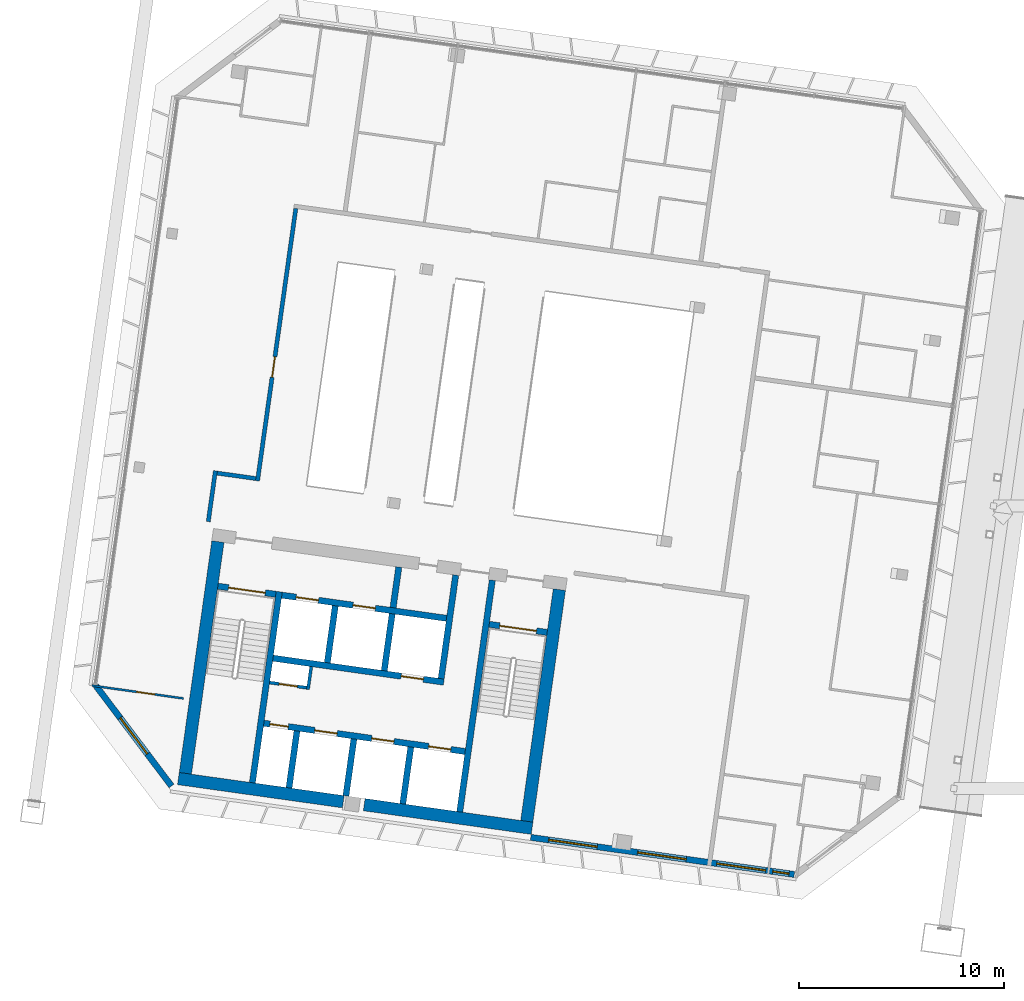
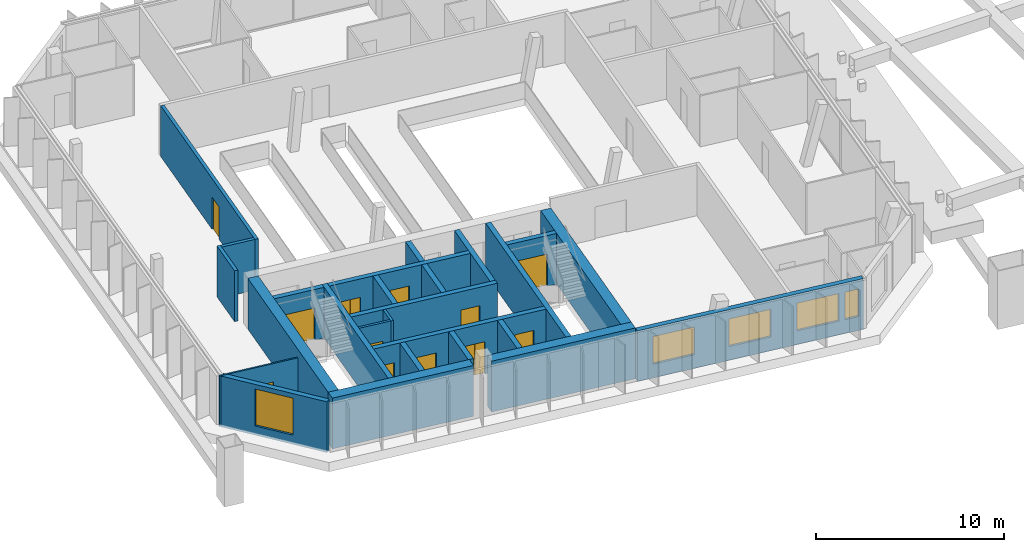
# One storey, part 21 of 36: 26 walls, 12 doors, 5 windows, 17 openings.
"""IFC4 building model written with IfcOpenShell, lengths in metres."""

from ifc_helpers import new_model, si_unit, direction, frame, frame_2d, origin, place, context, subcontext, project, spatial, rectangle, extrude, material, layer, layer_set, type_object, element, fill, save


model = new_model("IFC4")

# Units and contexts
model_context = context("Model", 3, precision=1e-05, world=origin(), true_north=direction((0.0, 1.0)))
body_context = subcontext(model_context, "Body", "Model", "MODEL_VIEW")
ifc_project = project(units=[si_unit("LENGTHUNIT", "METRE"), si_unit("AREAUNIT", "SQUARE_METRE"), si_unit("VOLUMEUNIT", "CUBIC_METRE"), si_unit("PLANEANGLEUNIT", "RADIAN"), si_unit("MASSUNIT", "GRAM", prefix="KILO")], contexts=[model_context])

# Site, building, storey
site_placement = place(None, origin())
site = spatial("IfcSite", under=ifc_project, at=site_placement, CompositionType="ELEMENT")
building_placement = place(site_placement, origin())
building = spatial("IfcBuilding", under=site, at=building_placement, Name="Mirante Cascada Hotel Towers", CompositionType="ELEMENT")
storey_placement = place(building_placement, frame((0.0, 0.0, 254.6)))
storey = spatial("IfcBuildingStorey", under=building, at=storey_placement, Name="L61", CompositionType="ELEMENT", Elevation=254.6)

# Wall
ifc_material_1 = material(Name="Fire-rated plasterboard on metal studs")
ifc_layer_1 = layer(ifc_material_1, 0.2)
ifc_layer_set_1 = layer_set([ifc_layer_1], Name="Compartment wall 200 EI 120")
wall_type_1 = type_object("IfcWallType", Name="Compartment wall 200 EI 120", PredefinedType="PARTITIONING", material=ifc_layer_set_1)
wall_1_placement = place(storey_placement, frame((-50.7737, -2.5139, 0.0), z_axis=(0.0, 0.0, 1.0), x_axis=(-0.9902628, 0.1392105, 0.0)))
element("IfcWall", 1, at=wall_1_placement, inside=storey, type_object=wall_type_1, Name="Wall 1-L61-08", PredefinedType="PARTITIONING", context=body_context, shape_type="SweptSolid", body=[
    extrude(rectangle(XDim=1.9, YDim=0.2, at=frame_2d((0.95, 0.0))), origin(), (0.0, 0.0, 1.0), 3.3),
])

# Wall, opening, door
wall_2_placement = place(storey_placement, frame((-48.8237, 10.6428, 0.0), z_axis=(0.0, 0.0, 1.0), x_axis=(-0.1391716, -0.9902683, 0.0)))
wall_2 = element("IfcWall", 2, at=wall_2_placement, inside=storey, type_object=wall_type_1, Name="Wall 1-L61-47", PredefinedType="PARTITIONING", context=body_context, shape_type="SweptSolid", body=[
    extrude(rectangle(XDim=13.4, YDim=0.2, at=frame_2d((6.7, 0.0))), origin(), (0.0, 0.0, 1.0), 3.3),
])
opening_1_placement = place(wall_2_placement, frame((7.3, 0.0, 0.0)))
opening_1 = element("IfcOpeningElement", 3, at=opening_1_placement, cuts=wall_2, Name="Opening D1-L61-26", PredefinedType="OPENING", context=body_context, shape_type="SweptSolid", body=[
    extrude(rectangle(XDim=1.0, YDim=2.1, at=frame_2d((0.5, 1.05))), frame((0.0, 0.1, 0.0), z_axis=(0.0, -1.0, 0.0), x_axis=(1.0, 0.0, 0.0)), (0.0, 0.0, 1.0), 0.2),
])
ifc_material_2 = material(Name="Fire-rated timber door leaf", Category="wood")
door_type_1 = type_object("IfcDoorType", Name="Entrance door DG1 1000x2100 EI 60", OperationType="SINGLE_SWING_LEFT", PredefinedType="DOOR", material=ifc_material_2)
door_1_placement = place(opening_1_placement, frame((1.0, 0.0, 0.0), z_axis=(0.0, 0.0, 1.0), x_axis=(-1.0, 0.0, 0.0)))
door_1 = element("IfcDoor", 4, at=door_1_placement, inside=storey, type_object=door_type_1, Name="Door D1-L61-26", OperationType="SINGLE_SWING_RIGHT", OverallHeight=2.1, OverallWidth=1.0, PredefinedType="DOOR", context=body_context, shape_type="SweptSolid", body=[
    extrude(rectangle(XDim=1.0, YDim=2.1, at=frame_2d((0.5, 1.05))), frame((0.0, 0.025, 0.0), z_axis=(0.0, -1.0, 0.0), x_axis=(1.0, 0.0, 0.0)), (0.0, 0.0, 1.0), 0.05),
])
fill(opening_1, door_1)

# Walls
wall_3_placement = place(storey_placement, frame((-52.7403, -2.1365, 0.0), z_axis=(0.0, 0.0, 1.0), x_axis=(-0.1391586, -0.9902701, 0.0)))
element("IfcWall", 5, at=wall_3_placement, inside=storey, type_object=wall_type_1, Name="Wall 1-L61-49", PredefinedType="PARTITIONING", context=body_context, shape_type="SweptSolid", body=[
    extrude(rectangle(XDim=2.5, YDim=0.2, at=frame_2d((1.25, 0.0))), origin(), (0.0, 0.0, 1.0), 3.3),
])
ifc_material_3 = material(Name="Masonry block", Category="masonry")
ifc_layer_2 = layer(ifc_material_3, 0.15)
ifc_layer_set_2 = layer_set([ifc_layer_2], Name="Core room partition 150 block EI 30")
wall_type_2 = type_object("IfcWallType", Name="Core room partition 150 block EI 30", PredefinedType="PARTITIONING", material=ifc_layer_set_2)
wall_4_placement = place(storey_placement, frame((-48.2295, -12.793, 0.0), z_axis=(0.0, 0.0, 1.0), x_axis=(0.1391935, 0.9902652, 0.0)))
element("IfcWall", 6, at=wall_4_placement, inside=storey, type_object=wall_type_2, Name="Core wall partition T1 L61 2", PredefinedType="PARTITIONING", context=body_context, shape_type="SweptSolid", body=[
    extrude(rectangle(XDim=1.1251, YDim=0.15, at=frame_2d((0.5626, 0.0))), origin(), (0.0, 0.0, 1.0), 3.3),
])

# Wall, opening, door
wall_5_placement = place(storey_placement, frame((-48.2933, -12.7083, 0.0), z_axis=(0.0, 0.0, 1.0), x_axis=(-0.990268, 0.1391734, 0.0)))
wall_5 = element("IfcWall", 7, at=wall_5_placement, inside=storey, type_object=wall_type_2, Name="Core wall partition T1 L61 3", PredefinedType="PARTITIONING", context=body_context, shape_type="SweptSolid", body=[
    extrude(rectangle(XDim=1.8251, YDim=0.15, at=frame_2d((0.9126, 0.0))), origin(), (0.0, 0.0, 1.0), 3.3),
])
opening_2_placement = place(wall_5_placement, frame((0.4625, 0.0, 0.0)))
opening_2 = element("IfcOpeningElement", 8, at=opening_2_placement, cuts=wall_5, Name="Opening D1-61-C13", PredefinedType="OPENING", context=body_context, shape_type="SweptSolid", body=[
    extrude(rectangle(XDim=0.9, YDim=2.1, at=frame_2d((0.45, 1.05))), frame((0.0, 0.075, 0.0), z_axis=(0.0, -1.0, 0.0), x_axis=(1.0, 0.0, 0.0)), (0.0, 0.0, 1.0), 0.15),
])
ifc_material_4 = material(Name="Hollow metal fire door leaf")
door_type_2 = type_object("IfcDoorType", Name="Fire door 900x2100 FD60", OperationType="NOTDEFINED", PredefinedType="DOOR", material=ifc_material_4)
door_2_placement = place(opening_2_placement, origin())
door_2 = element("IfcDoor", 9, at=door_2_placement, inside=storey, type_object=door_type_2, Name="Riser door T1 L61 13", OperationType="SINGLE_SWING_LEFT", OverallHeight=2.1, OverallWidth=0.9, PredefinedType="DOOR", context=body_context, shape_type="SweptSolid", body=[
    extrude(rectangle(XDim=0.9, YDim=2.1, at=frame_2d((0.45, 1.05))), frame((0.0, 0.025, 0.0), z_axis=(0.0, -1.0, 0.0), x_axis=(1.0, 0.0, 0.0)), (0.0, 0.0, 1.0), 0.05),
])
fill(opening_2, door_2)

# Wall
ifc_material_5 = material(Name="Masonry block", Category="masonry")
ifc_layer_3 = layer(ifc_material_5, 0.3)
ifc_layer_set_3 = layer_set([ifc_layer_3], Name="Core wall 300 block EI 120")
wall_type_3 = type_object("IfcWallType", Name="Core wall 300 block EI 120", PredefinedType="PARTITIONING", material=ifc_layer_set_3)
wall_6_placement = place(storey_placement, frame((-44.0843, -8.8061, 0.0), z_axis=(0.0, 0.0, 1.0), x_axis=(0.1391951, 0.990265, 0.0)))
element("IfcWall", 10, at=wall_6_placement, inside=storey, type_object=wall_type_3, Name="Core wall partition T1 L61 1", PredefinedType="PARTITIONING", context=body_context, shape_type="SweptSolid", body=[
    extrude(rectangle(XDim=2.0001, YDim=0.3, at=frame_2d((1.0001, 0.0))), origin(), (0.0, 0.0, 1.0), 3.3),
])

# Wall, opening, door
ifc_material_6 = material(Name="Plasterboard on metal studs")
ifc_layer_4 = layer(ifc_material_6, 0.1)
ifc_layer_set_4 = layer_set([ifc_layer_4], Name="Partition 100")
wall_type_4 = type_object("IfcWallType", Name="Partition 100", PredefinedType="PARTITIONING", material=ifc_layer_set_4)
wall_7_placement = place(storey_placement, frame((-54.299, -13.2275, 0.0), z_axis=(0.0, 0.0, 1.0), x_axis=(-0.9902674, 0.1391779, 0.0)))
wall_7 = element("IfcWall", 11, at=wall_7_placement, inside=storey, type_object=wall_type_4, Name="Wall 1-L61-04", PredefinedType="PARTITIONING", context=body_context, shape_type="SweptSolid", body=[
    extrude(rectangle(XDim=4.5, YDim=0.1, at=frame_2d((2.25, 0.0))), origin(), (0.0, 0.0, 1.0), 3.3),
])
opening_3_placement = place(wall_7_placement, frame((1.41, 0.0, 0.0)))
opening_3 = element("IfcOpeningElement", 12, at=opening_3_placement, cuts=wall_7, Name="Opening D1-L61-03", PredefinedType="OPENING", context=body_context, shape_type="SweptSolid", body=[
    extrude(rectangle(XDim=0.9, YDim=2.1, at=frame_2d((0.45, 1.05))), frame((0.0, 0.05, 0.0), z_axis=(0.0, -1.0, 0.0), x_axis=(1.0, 0.0, 0.0)), (0.0, 0.0, 1.0), 0.1),
])
ifc_material_7 = material(Name="Timber door leaf", Category="wood")
door_type_3 = type_object("IfcDoorType", Name="Room door DG3 900x2100", OperationType="SINGLE_SWING_LEFT", PredefinedType="DOOR", material=ifc_material_7)
door_3_placement = place(opening_3_placement, frame((0.9, 0.0, 0.0), z_axis=(0.0, 0.0, 1.0), x_axis=(-1.0, 0.0, 0.0)))
door_3 = element("IfcDoor", 13, at=door_3_placement, inside=storey, type_object=door_type_3, Name="Door D1-L61-03", OperationType="SINGLE_SWING_RIGHT", OverallHeight=2.1, OverallWidth=0.9, PredefinedType="DOOR", context=body_context, shape_type="SweptSolid", body=[
    extrude(rectangle(XDim=0.9, YDim=2.1, at=frame_2d((0.45, 1.05))), frame((0.0, 0.025, 0.0), z_axis=(0.0, -1.0, 0.0), x_axis=(1.0, 0.0, 0.0)), (0.0, 0.0, 1.0), 0.05),
])
fill(opening_3, door_3)

# Wall, openings, windows
ifc_material_8 = material(Name="Precast concrete C40/50", Category="concrete")
ifc_layer_5 = layer(ifc_material_8, 0.3)
ifc_layer_set_5 = layer_set([ifc_layer_5], Name="Precast concrete C40/50 cladding wall 300")
wall_type_5 = type_object("IfcWallType", Name="Precast concrete C40/50 cladding wall 300", PredefinedType="STANDARD", material=ifc_layer_set_5)
wall_8_placement = place(storey_placement, frame((-24.5391, -21.8027, 0.0), z_axis=(0.0, 0.0, 1.0), x_axis=(-0.9902681, 0.1391726, 0.0)))
wall_8 = element("IfcWall", 14, at=wall_8_placement, inside=storey, type_object=wall_type_5, Name="Rear cladding wall T1 L61 1", PredefinedType="STANDARD", context=body_context, shape_type="SweptSolid", body=[
    extrude(rectangle(XDim=12.9638, YDim=0.3, at=frame_2d((6.4819, 0.0))), origin(), (0.0, 0.0, 1.0), 3.3),
])
opening_4_placement = place(wall_8_placement, frame((1.4137, 0.0, 0.9)))
opening_4 = element("IfcOpeningElement", 15, at=opening_4_placement, cuts=wall_8, Name="Opening W1-61-01", PredefinedType="OPENING", context=body_context, shape_type="SweptSolid", body=[
    extrude(rectangle(XDim=2.4, YDim=1.8, at=frame_2d((1.2, 0.9))), frame((0.0, 0.15, 0.0), z_axis=(0.0, -1.0, 0.0), x_axis=(1.0, 0.0, 0.0)), (0.0, 0.0, 1.0), 0.3),
])
opening_5_placement = place(wall_8_placement, frame((5.3088, 0.0, 0.9)))
opening_5 = element("IfcOpeningElement", 16, at=opening_5_placement, cuts=wall_8, Name="Opening W1-61-02", PredefinedType="OPENING", context=body_context, shape_type="SweptSolid", body=[
    extrude(rectangle(XDim=2.4, YDim=1.8, at=frame_2d((1.2, 0.9))), frame((0.0, 0.15, 0.0), z_axis=(0.0, -1.0, 0.0), x_axis=(1.0, 0.0, 0.0)), (0.0, 0.0, 1.0), 0.3),
])
opening_6_placement = place(wall_8_placement, frame((9.6893, 0.0, 0.9)))
opening_6 = element("IfcOpeningElement", 17, at=opening_6_placement, cuts=wall_8, Name="Opening W1-61-03", PredefinedType="OPENING", context=body_context, shape_type="SweptSolid", body=[
    extrude(rectangle(XDim=2.4, YDim=1.8, at=frame_2d((1.2, 0.9))), frame((0.0, 0.15, 0.0), z_axis=(0.0, -1.0, 0.0), x_axis=(1.0, 0.0, 0.0)), (0.0, 0.0, 1.0), 0.3),
])
opening_7_placement = place(wall_8_placement, frame((0.2569, 0.0, 0.9)))
opening_7 = element("IfcOpeningElement", 18, at=opening_7_placement, cuts=wall_8, Name="Opening W1-61-08", PredefinedType="OPENING", context=body_context, shape_type="SweptSolid", body=[
    extrude(rectangle(XDim=0.8, YDim=1.8, at=frame_2d((0.4, 0.9))), frame((0.0, 0.15, 0.0), z_axis=(0.0, -1.0, 0.0), x_axis=(1.0, 0.0, 0.0)), (0.0, 0.0, 1.0), 0.3),
])
ifc_material_9 = material(Name="Aluminium frame with clear double glazing", Category="aluminium")
window_type_1 = type_object("IfcWindowType", Name="Punched window 2400x1800", PartitioningType="DOUBLE_PANEL_VERTICAL", PredefinedType="WINDOW", material=ifc_material_9)
window_1_placement = place(opening_4_placement, origin())
window_1 = element("IfcWindow", 19, at=window_1_placement, inside=storey, type_object=window_type_1, Name="Window W1-61-01", OverallHeight=1.8, OverallWidth=2.4, PartitioningType="SINGLE_PANEL", PredefinedType="WINDOW", context=body_context, shape_type="SweptSolid", body=[
    extrude(rectangle(XDim=2.4, YDim=1.8, at=frame_2d((1.2, 0.9))), frame((0.0, 0.03, 0.0), z_axis=(0.0, -1.0, 0.0), x_axis=(1.0, 0.0, 0.0)), (0.0, 0.0, 1.0), 0.06),
])
fill(opening_4, window_1)
window_2_placement = place(opening_5_placement, origin())
window_2 = element("IfcWindow", 20, at=window_2_placement, inside=storey, type_object=window_type_1, Name="Window W1-61-02", OverallHeight=1.8, OverallWidth=2.4, PartitioningType="SINGLE_PANEL", PredefinedType="WINDOW", context=body_context, shape_type="SweptSolid", body=[
    extrude(rectangle(XDim=2.4, YDim=1.8, at=frame_2d((1.2, 0.9))), frame((0.0, 0.03, 0.0), z_axis=(0.0, -1.0, 0.0), x_axis=(1.0, 0.0, 0.0)), (0.0, 0.0, 1.0), 0.06),
])
fill(opening_5, window_2)
window_3_placement = place(opening_6_placement, origin())
window_3 = element("IfcWindow", 21, at=window_3_placement, inside=storey, type_object=window_type_1, Name="Window W1-61-03", OverallHeight=1.8, OverallWidth=2.4, PartitioningType="SINGLE_PANEL", PredefinedType="WINDOW", context=body_context, shape_type="SweptSolid", body=[
    extrude(rectangle(XDim=2.4, YDim=1.8, at=frame_2d((1.2, 0.9))), frame((0.0, 0.03, 0.0), z_axis=(0.0, -1.0, 0.0), x_axis=(1.0, 0.0, 0.0)), (0.0, 0.0, 1.0), 0.06),
])
fill(opening_6, window_3)
ifc_material_10 = material(Name="Aluminium frame with clear double glazing", Category="aluminium")
window_type_2 = type_object("IfcWindowType", Name="Punched window 800x1800", PartitioningType="DOUBLE_PANEL_VERTICAL", PredefinedType="WINDOW", material=ifc_material_10)
window_4_placement = place(opening_7_placement, origin())
window_4 = element("IfcWindow", 22, at=window_4_placement, inside=storey, type_object=window_type_2, Name="Window W1-61-08", OverallHeight=1.8, OverallWidth=0.8, PartitioningType="SINGLE_PANEL", PredefinedType="WINDOW", context=body_context, shape_type="SweptSolid", body=[
    extrude(rectangle(XDim=0.8, YDim=1.8, at=frame_2d((0.4, 0.9))), frame((0.0, 0.03, 0.0), z_axis=(0.0, -1.0, 0.0), x_axis=(1.0, 0.0, 0.0)), (0.0, 0.0, 1.0), 0.06),
])
fill(opening_7, window_4)

# Wall, opening, window
wall_9_placement = place(storey_placement, frame((-54.8802, -17.4943, 0.0), z_axis=(0.0, 0.0, 1.0), x_axis=(-0.6018141, 0.7986362, 0.0)))
wall_9 = element("IfcWall", 23, at=wall_9_placement, inside=storey, type_object=wall_type_5, Name="Corner cladding wall T1 L61 rear outer", PredefinedType="STANDARD", context=body_context, shape_type="SweptSolid", body=[
    extrude(rectangle(XDim=6.1157, YDim=0.3, at=frame_2d((3.0578, 0.0))), origin(), (0.0, 0.0, 1.0), 3.3),
])
opening_8_placement = place(wall_9_placement, frame((1.9578, 0.0, 0.6)))
opening_8 = element("IfcOpeningElement", 24, at=opening_8_placement, cuts=wall_9, Name="Opening W1-61-04", PredefinedType="OPENING", context=body_context, shape_type="SweptSolid", body=[
    extrude(rectangle(XDim=2.2, YDim=2.4, at=frame_2d((1.1, 1.2))), frame((0.0, 0.15, 0.0), z_axis=(0.0, -1.0, 0.0), x_axis=(1.0, 0.0, 0.0)), (0.0, 0.0, 1.0), 0.3),
])
ifc_material_11 = material(Name="Aluminium frame with clear double glazing", Category="aluminium")
window_type_3 = type_object("IfcWindowType", Name="Corner suite window 2200x2400", PartitioningType="DOUBLE_PANEL_VERTICAL", PredefinedType="WINDOW", material=ifc_material_11)
window_5_placement = place(opening_8_placement, origin())
window_5 = element("IfcWindow", 25, at=window_5_placement, inside=storey, type_object=window_type_3, Name="Window W1-61-04", OverallHeight=2.4, OverallWidth=2.2, PartitioningType="SINGLE_PANEL", PredefinedType="WINDOW", context=body_context, shape_type="SweptSolid", body=[
    extrude(rectangle(XDim=2.2, YDim=2.4, at=frame_2d((1.1, 1.2))), frame((0.0, 0.03, 0.0), z_axis=(0.0, -1.0, 0.0), x_axis=(1.0, 0.0, 0.0)), (0.0, 0.0, 1.0), 0.06),
])
fill(opening_8, window_5)

# Walls
ifc_material_12 = material(Name="Concrete C50/60", Category="concrete")
ifc_layer_6 = layer(ifc_material_12, 0.3)
ifc_layer_set_6 = layer_set([ifc_layer_6], Name="RC core wall 300 C50/60")
wall_type_6 = type_object("IfcWallType", Name="RC core wall 300 C50/60", PredefinedType="SHEAR", material=ifc_layer_set_6)
wall_10_placement = place(storey_placement, frame((-40.8373, -18.7548, 0.0), z_axis=(0.0, 0.0, 1.0), x_axis=(0.1391749, 0.9902678, 0.0)))
element("IfcWall", 26, at=wall_10_placement, inside=storey, type_object=wall_type_6, Name="Core wall T1:L61:5", PredefinedType="SHEAR", context=body_context, shape_type="SweptSolid", body=[
    extrude(rectangle(XDim=11.4, YDim=0.3, at=frame_2d((5.7, 0.0))), origin(), (0.0, 0.0, 1.0), 3.3),
])
wall_11_placement = place(storey_placement, frame((-50.938, -17.3352, 0.0), z_axis=(0.0, 0.0, 1.0), x_axis=(0.1391706, 0.9902684, 0.0)))
element("IfcWall", 27, at=wall_11_placement, inside=storey, type_object=wall_type_6, Name="Core wall T1:L61:6", PredefinedType="SHEAR", context=body_context, shape_type="SweptSolid", body=[
    extrude(rectangle(XDim=9.4, YDim=0.3, at=frame_2d((4.7, 0.0))), origin(), (0.0, 0.0, 1.0), 3.3),
])

# Wall, opening, door
wall_12_placement = place(storey_placement, frame((-36.5791, -10.0123, 0.0), z_axis=(0.0, 0.0, 1.0), x_axis=(-0.9902704, 0.1391564, 0.0)))
wall_12 = element("IfcWall", 28, at=wall_12_placement, inside=storey, type_object=wall_type_6, Name="Core wall T1:L61:7", PredefinedType="SHEAR", context=body_context, shape_type="SweptSolid", body=[
    extrude(rectangle(XDim=2.85, YDim=0.3, at=frame_2d((1.425, 0.0))), origin(), (0.0, 0.0, 1.0), 3.3),
])
opening_9_placement = place(wall_12_placement, frame((0.525, 0.0, 0.0)))
opening_9 = element("IfcOpeningElement", 29, at=opening_9_placement, cuts=wall_12, Name="Opening D1-61-C07", PredefinedType="OPENING", context=body_context, shape_type="SweptSolid", body=[
    extrude(rectangle(XDim=1.8, YDim=2.1, at=frame_2d((0.9, 1.05))), frame((0.0, 0.15, 0.0), z_axis=(0.0, -1.0, 0.0), x_axis=(1.0, 0.0, 0.0)), (0.0, 0.0, 1.0), 0.3),
])
ifc_material_13 = material(Name="Hollow metal fire door leaf")
door_type_4 = type_object("IfcDoorType", Name="Double fire door 1800x2100 FD60", OperationType="DOUBLE_DOOR_SINGLE_SWING", PredefinedType="DOOR", material=ifc_material_13)
door_4_placement = place(opening_9_placement, origin())
door_4 = element("IfcDoor", 30, at=door_4_placement, inside=storey, type_object=door_type_4, Name="Stair door T1 L61 7", OperationType="DOUBLE_DOOR_SINGLE_SWING", OverallHeight=2.1, OverallWidth=1.8, PredefinedType="DOOR", context=body_context, shape_type="SweptSolid", body=[
    extrude(rectangle(XDim=0.895, YDim=2.1, at=frame_2d((0.4475, 1.05))), frame((0.0, 0.025, 0.0), z_axis=(0.0, -1.0, 0.0), x_axis=(1.0, 0.0, 0.0)), (0.0, 0.0, 1.0), 0.05),
    extrude(rectangle(XDim=0.895, YDim=2.1, at=frame_2d((1.3525, 1.05))), frame((0.0, 0.025, 0.0), z_axis=(0.0, -1.0, 0.0), x_axis=(1.0, 0.0, 0.0)), (0.0, 0.0, 1.0), 0.05),
])
fill(opening_9, door_4)

wall_13_placement = place(storey_placement, frame((-49.7992, -8.1544, 0.0), z_axis=(0.0, 0.0, 1.0), x_axis=(-0.9902656, 0.1391909, 0.0)))
wall_13 = element("IfcWall", 31, at=wall_13_placement, inside=storey, type_object=wall_type_6, Name="Core wall T1:L61:8", PredefinedType="SHEAR", context=body_context, shape_type="SweptSolid", body=[
    extrude(rectangle(XDim=2.85, YDim=0.3, at=frame_2d((1.425, 0.0))), origin(), (0.0, 0.0, 1.0), 3.3),
])
opening_10_placement = place(wall_13_placement, frame((0.525, 0.0, 0.0)))
opening_10 = element("IfcOpeningElement", 32, at=opening_10_placement, cuts=wall_13, Name="Opening D1-61-C09", PredefinedType="OPENING", context=body_context, shape_type="SweptSolid", body=[
    extrude(rectangle(XDim=1.8, YDim=2.1, at=frame_2d((0.9, 1.05))), frame((0.0, 0.15, 0.0), z_axis=(0.0, -1.0, 0.0), x_axis=(1.0, 0.0, 0.0)), (0.0, 0.0, 1.0), 0.3),
])
door_5_placement = place(opening_10_placement, origin())
door_5 = element("IfcDoor", 33, at=door_5_placement, inside=storey, type_object=door_type_4, Name="Stair door T1 L61 9", OperationType="DOUBLE_DOOR_SINGLE_SWING", OverallHeight=2.1, OverallWidth=1.8, PredefinedType="DOOR", context=body_context, shape_type="SweptSolid", body=[
    extrude(rectangle(XDim=0.895, YDim=2.1, at=frame_2d((0.4475, 1.05))), frame((0.0, 0.025, 0.0), z_axis=(0.0, -1.0, 0.0), x_axis=(1.0, 0.0, 0.0)), (0.0, 0.0, 1.0), 0.05),
    extrude(rectangle(XDim=0.895, YDim=2.1, at=frame_2d((1.3525, 1.05))), frame((0.0, 0.025, 0.0), z_axis=(0.0, -1.0, 0.0), x_axis=(1.0, 0.0, 0.0)), (0.0, 0.0, 1.0), 0.05),
])
fill(opening_10, door_5)

# Wall, openings, doors
wall_14_placement = place(storey_placement, frame((-40.5753, -15.8126, 0.0), z_axis=(0.0, 0.0, 1.0), x_axis=(-0.9902682, 0.1391725, 0.0)))
wall_14 = element("IfcWall", 34, at=wall_14_placement, inside=storey, type_object=wall_type_6, Name="Core wall T1:L61:9", PredefinedType="SHEAR", context=body_context, shape_type="SweptSolid", body=[
    extrude(rectangle(XDim=9.8999, YDim=0.3, at=frame_2d((4.95, 0.0))), origin(), (0.0, 0.0, 1.0), 3.3),
])
opening_11_placement = place(wall_14_placement, frame((0.7, 0.0, 0.0)))
opening_11 = element("IfcOpeningElement", 35, at=opening_11_placement, cuts=wall_14, Name="Opening LD", PredefinedType="OPENING", context=body_context, shape_type="SweptSolid", body=[
    extrude(rectangle(XDim=1.1, YDim=2.1, at=frame_2d((0.55, 1.05))), frame((0.0, 0.15, 0.0), z_axis=(0.0, -1.0, 0.0), x_axis=(1.0, 0.0, 0.0)), (0.0, 0.0, 1.0), 0.3),
])
opening_12_placement = place(wall_14_placement, frame((3.5, 0.0, 0.0)))
opening_12 = element("IfcOpeningElement", 36, at=opening_12_placement, cuts=wall_14, Name="Opening LD", PredefinedType="OPENING", context=body_context, shape_type="SweptSolid", body=[
    extrude(rectangle(XDim=1.1, YDim=2.1, at=frame_2d((0.55, 1.05))), frame((0.0, 0.15, 0.0), z_axis=(0.0, -1.0, 0.0), x_axis=(1.0, 0.0, 0.0)), (0.0, 0.0, 1.0), 0.3),
])
opening_13_placement = place(wall_14_placement, frame((6.3, 0.0, 0.0)))
opening_13 = element("IfcOpeningElement", 37, at=opening_13_placement, cuts=wall_14, Name="Opening LD", PredefinedType="OPENING", context=body_context, shape_type="SweptSolid", body=[
    extrude(rectangle(XDim=1.1, YDim=2.1, at=frame_2d((0.55, 1.05))), frame((0.0, 0.15, 0.0), z_axis=(0.0, -1.0, 0.0), x_axis=(1.0, 0.0, 0.0)), (0.0, 0.0, 1.0), 0.3),
])
opening_14_placement = place(wall_14_placement, frame((8.7, 0.0, 0.0)))
opening_14 = element("IfcOpeningElement", 38, at=opening_14_placement, cuts=wall_14, Name="Opening D1-61-C12", PredefinedType="OPENING", context=body_context, shape_type="SweptSolid", body=[
    extrude(rectangle(XDim=0.9, YDim=2.1, at=frame_2d((0.45, 1.05))), frame((0.0, 0.15, 0.0), z_axis=(0.0, -1.0, 0.0), x_axis=(1.0, 0.0, 0.0)), (0.0, 0.0, 1.0), 0.3),
])
door_6_placement = place(opening_14_placement, origin())
door_6 = element("IfcDoor", 39, at=door_6_placement, inside=storey, type_object=door_type_2, Name="Riser door T1 L61 12", OperationType="SINGLE_SWING_LEFT", OverallHeight=2.1, OverallWidth=0.9, PredefinedType="DOOR", context=body_context, shape_type="SweptSolid", body=[
    extrude(rectangle(XDim=0.9, YDim=2.1, at=frame_2d((0.45, 1.05))), frame((0.0, 0.025, 0.0), z_axis=(0.0, -1.0, 0.0), x_axis=(1.0, 0.0, 0.0)), (0.0, 0.0, 1.0), 0.05),
])
fill(opening_14, door_6)
ifc_material_14 = material(Name="Stainless steel", Category="steel")
door_type_5 = type_object("IfcDoorType", Name="Lift landing door 1100x2100 EI 120", OperationType="DOUBLE_DOOR_SLIDING", PredefinedType="DOOR", material=ifc_material_14)
door_7_placement = place(opening_11_placement, origin())
door_7 = element("IfcDoor", 40, at=door_7_placement, inside=storey, type_object=door_type_5, Name="Lift landing door HR1-1 L61", OperationType="DOUBLE_DOOR_SLIDING", OverallHeight=2.1, OverallWidth=1.1, PredefinedType="DOOR", context=body_context, shape_type="SweptSolid", body=[
    extrude(rectangle(XDim=0.545, YDim=2.1, at=frame_2d((0.2725, 1.05))), frame((0.0, 0.025, 0.0), z_axis=(0.0, -1.0, 0.0), x_axis=(1.0, 0.0, 0.0)), (0.0, 0.0, 1.0), 0.05),
    extrude(rectangle(XDim=0.545, YDim=2.1, at=frame_2d((0.8275, 1.05))), frame((0.0, 0.025, 0.0), z_axis=(0.0, -1.0, 0.0), x_axis=(1.0, 0.0, 0.0)), (0.0, 0.0, 1.0), 0.05),
])
fill(opening_11, door_7)
door_8_placement = place(opening_12_placement, origin())
door_8 = element("IfcDoor", 41, at=door_8_placement, inside=storey, type_object=door_type_5, Name="Lift landing door HR1-2 L61", OperationType="DOUBLE_DOOR_SLIDING", OverallHeight=2.1, OverallWidth=1.1, PredefinedType="DOOR", context=body_context, shape_type="SweptSolid", body=[
    extrude(rectangle(XDim=0.545, YDim=2.1, at=frame_2d((0.2725, 1.05))), frame((0.0, 0.025, 0.0), z_axis=(0.0, -1.0, 0.0), x_axis=(1.0, 0.0, 0.0)), (0.0, 0.0, 1.0), 0.05),
    extrude(rectangle(XDim=0.545, YDim=2.1, at=frame_2d((0.8275, 1.05))), frame((0.0, 0.025, 0.0), z_axis=(0.0, -1.0, 0.0), x_axis=(1.0, 0.0, 0.0)), (0.0, 0.0, 1.0), 0.05),
])
fill(opening_12, door_8)
door_9_placement = place(opening_13_placement, origin())
door_9 = element("IfcDoor", 42, at=door_9_placement, inside=storey, type_object=door_type_5, Name="Lift landing door HR1-3 L61", OperationType="DOUBLE_DOOR_SLIDING", OverallHeight=2.1, OverallWidth=1.1, PredefinedType="DOOR", context=body_context, shape_type="SweptSolid", body=[
    extrude(rectangle(XDim=0.545, YDim=2.1, at=frame_2d((0.2725, 1.05))), frame((0.0, 0.025, 0.0), z_axis=(0.0, -1.0, 0.0), x_axis=(1.0, 0.0, 0.0)), (0.0, 0.0, 1.0), 0.05),
    extrude(rectangle(XDim=0.545, YDim=2.1, at=frame_2d((0.8275, 1.05))), frame((0.0, 0.025, 0.0), z_axis=(0.0, -1.0, 0.0), x_axis=(1.0, 0.0, 0.0)), (0.0, 0.0, 1.0), 0.05),
])
fill(opening_13, door_9)

# Wall, opening, door
wall_15_placement = place(storey_placement, frame((-41.6153, -12.435, 0.0), z_axis=(0.0, 0.0, 1.0), x_axis=(-0.9902691, 0.139166, 0.0)))
wall_15 = element("IfcWall", 43, at=wall_15_placement, inside=storey, type_object=wall_type_6, Name="Core wall T1:L61:10", PredefinedType="SHEAR", context=body_context, shape_type="SweptSolid", body=[
    extrude(rectangle(XDim=8.4, YDim=0.3, at=frame_2d((4.2, 0.0))), origin(), (0.0, 0.0, 1.0), 3.3),
])
opening_15_placement = place(wall_15_placement, frame((1.0, 0.0, 0.0)))
opening_15 = element("IfcOpeningElement", 44, at=opening_15_placement, cuts=wall_15, Name="Opening LD", PredefinedType="OPENING", context=body_context, shape_type="SweptSolid", body=[
    extrude(rectangle(XDim=1.1, YDim=2.1, at=frame_2d((0.55, 1.05))), frame((0.0, 0.15, 0.0), z_axis=(0.0, -1.0, 0.0), x_axis=(1.0, 0.0, 0.0)), (0.0, 0.0, 1.0), 0.3),
])
door_10_placement = place(opening_15_placement, origin())
door_10 = element("IfcDoor", 45, at=door_10_placement, inside=storey, type_object=door_type_5, Name="Lift landing door HR1-4 L61", OperationType="DOUBLE_DOOR_SLIDING", OverallHeight=2.1, OverallWidth=1.1, PredefinedType="DOOR", context=body_context, shape_type="SweptSolid", body=[
    extrude(rectangle(XDim=0.545, YDim=2.1, at=frame_2d((0.2725, 1.05))), frame((0.0, 0.025, 0.0), z_axis=(0.0, -1.0, 0.0), x_axis=(1.0, 0.0, 0.0)), (0.0, 0.0, 1.0), 0.05),
    extrude(rectangle(XDim=0.545, YDim=2.1, at=frame_2d((0.8275, 1.05))), frame((0.0, 0.025, 0.0), z_axis=(0.0, -1.0, 0.0), x_axis=(1.0, 0.0, 0.0)), (0.0, 0.0, 1.0), 0.05),
])
fill(opening_15, door_10)

# Wall, openings, doors
wall_16_placement = place(storey_placement, frame((-41.481, -9.3234, 0.0), z_axis=(0.0, 0.0, 1.0), x_axis=(-0.9902679, 0.1391741, 0.0)))
wall_16 = element("IfcWall", 46, at=wall_16_placement, inside=storey, type_object=wall_type_6, Name="Core wall T1:L61:11", PredefinedType="SHEAR", context=body_context, shape_type="SweptSolid", body=[
    extrude(rectangle(XDim=8.0999, YDim=0.3, at=frame_2d((4.05, 0.0))), origin(), (0.0, 0.0, 1.0), 3.3),
])
opening_16_placement = place(wall_16_placement, frame((3.5, 0.0, 0.0)))
opening_16 = element("IfcOpeningElement", 47, at=opening_16_placement, cuts=wall_16, Name="Opening LD", PredefinedType="OPENING", context=body_context, shape_type="SweptSolid", body=[
    extrude(rectangle(XDim=1.1, YDim=2.1, at=frame_2d((0.55, 1.05))), frame((0.0, 0.15, 0.0), z_axis=(0.0, -1.0, 0.0), x_axis=(1.0, 0.0, 0.0)), (0.0, 0.0, 1.0), 0.3),
])
opening_17_placement = place(wall_16_placement, frame((6.3, 0.0, 0.0)))
opening_17 = element("IfcOpeningElement", 48, at=opening_17_placement, cuts=wall_16, Name="Opening LD", PredefinedType="OPENING", context=body_context, shape_type="SweptSolid", body=[
    extrude(rectangle(XDim=1.1, YDim=2.1, at=frame_2d((0.55, 1.05))), frame((0.0, 0.15, 0.0), z_axis=(0.0, -1.0, 0.0), x_axis=(1.0, 0.0, 0.0)), (0.0, 0.0, 1.0), 0.3),
])
door_11_placement = place(opening_16_placement, origin())
door_11 = element("IfcDoor", 49, at=door_11_placement, inside=storey, type_object=door_type_5, Name="Lift landing door FF1 L61", OperationType="DOUBLE_DOOR_SLIDING", OverallHeight=2.1, OverallWidth=1.1, PredefinedType="DOOR", context=body_context, shape_type="SweptSolid", body=[
    extrude(rectangle(XDim=0.545, YDim=2.1, at=frame_2d((0.2725, 1.05))), frame((0.0, 0.025, 0.0), z_axis=(0.0, -1.0, 0.0), x_axis=(1.0, 0.0, 0.0)), (0.0, 0.0, 1.0), 0.05),
    extrude(rectangle(XDim=0.545, YDim=2.1, at=frame_2d((0.8275, 1.05))), frame((0.0, 0.025, 0.0), z_axis=(0.0, -1.0, 0.0), x_axis=(1.0, 0.0, 0.0)), (0.0, 0.0, 1.0), 0.05),
])
fill(opening_16, door_11)
door_12_placement = place(opening_17_placement, origin())
door_12 = element("IfcDoor", 50, at=door_12_placement, inside=storey, type_object=door_type_5, Name="Lift landing door FF2 L61", OperationType="DOUBLE_DOOR_SLIDING", OverallHeight=2.1, OverallWidth=1.1, PredefinedType="DOOR", context=body_context, shape_type="SweptSolid", body=[
    extrude(rectangle(XDim=0.545, YDim=2.1, at=frame_2d((0.2725, 1.05))), frame((0.0, 0.025, 0.0), z_axis=(0.0, -1.0, 0.0), x_axis=(1.0, 0.0, 0.0)), (0.0, 0.0, 1.0), 0.05),
    extrude(rectangle(XDim=0.545, YDim=2.1, at=frame_2d((0.8275, 1.05))), frame((0.0, 0.025, 0.0), z_axis=(0.0, -1.0, 0.0), x_axis=(1.0, 0.0, 0.0)), (0.0, 0.0, 1.0), 0.05),
])
fill(opening_17, door_12)

# Walls
wall_17_placement = place(storey_placement, frame((-43.61, -18.3651, 0.0), z_axis=(0.0, 0.0, 1.0), x_axis=(0.1391459, 0.9902719, 0.0)))
element("IfcWall", 51, at=wall_17_placement, inside=storey, type_object=wall_type_6, Name="Core wall T1:L61:12", PredefinedType="SHEAR", context=body_context, shape_type="SweptSolid", body=[
    extrude(rectangle(XDim=2.7999, YDim=0.3, at=frame_2d((1.4, 0.0))), origin(), (0.0, 0.0, 1.0), 3.3),
])
wall_18_placement = place(storey_placement, frame((-46.3828, -17.9754, 0.0), z_axis=(0.0, 0.0, 1.0), x_axis=(0.139181, 0.990267, 0.0)))
element("IfcWall", 52, at=wall_18_placement, inside=storey, type_object=wall_type_6, Name="Core wall T1:L61:13", PredefinedType="SHEAR", context=body_context, shape_type="SweptSolid", body=[
    extrude(rectangle(XDim=2.8, YDim=0.3, at=frame_2d((1.4, 0.0))), origin(), (0.0, 0.0, 1.0), 3.3),
])
wall_19_placement = place(storey_placement, frame((-49.1555, -17.5857, 0.0), z_axis=(0.0, 0.0, 1.0), x_axis=(0.1391459, 0.9902719, 0.0)))
element("IfcWall", 53, at=wall_19_placement, inside=storey, type_object=wall_type_6, Name="Core wall T1:L61:14", PredefinedType="SHEAR", context=body_context, shape_type="SweptSolid", body=[
    extrude(rectangle(XDim=2.7999, YDim=0.3, at=frame_2d((1.4, 0.0))), origin(), (0.0, 0.0, 1.0), 3.3),
])
for number, where, z_axis, x_axis, name in (
    (54, (-44.5157, -11.8759, 0.0), (0.0, 0.0, 1.0), (0.139181, 0.990267, 0.0), "Core wall T1:L61:15"),
    (55, (-47.2885, -11.4862, 0.0), (0.0, 0.0, 1.0), (0.139181, 0.990267, 0.0), "Core wall T1:L61:16"),
):
    element("IfcWall", number, at=place(storey_placement, frame(where, z_axis=z_axis, x_axis=x_axis)), inside=storey, type_object=wall_type_6, Name=name, PredefinedType="SHEAR", context=body_context, shape_type="SweptSolid", body=[
        extrude(rectangle(XDim=2.8, YDim=0.3, at=frame_2d((1.4, 0.0))), origin(), (0.0, 0.0, 1.0), 3.3),
    ])
wall_20_placement = place(storey_placement, frame((-41.743, -12.2656, 0.0), z_axis=(0.0, 0.0, 1.0), x_axis=(0.1391755, 0.9902677, 0.0)))
element("IfcWall", 56, at=wall_20_placement, inside=storey, type_object=wall_type_6, Name="Core wall T1:L61:17", PredefinedType="SHEAR", context=body_context, shape_type="SweptSolid", body=[
    extrude(rectangle(XDim=5.1, YDim=0.3, at=frame_2d((2.55, 0.0))), origin(), (0.0, 0.0, 1.0), 3.3),
])
ifc_material_15 = material(Name="Concrete C50/60", Category="concrete")
ifc_layer_7 = layer(ifc_material_15, 0.6)
ifc_layer_set_7 = layer_set([ifc_layer_7], Name="RC core wall 600 C50/60")
wall_type_7 = type_object("IfcWallType", Name="RC core wall 600 C50/60", PredefinedType="SHEAR", material=ifc_layer_set_7)
wall_21_placement = place(storey_placement, frame((-37.3141, -19.5529, 0.0), z_axis=(0.0, 0.0, 1.0), x_axis=(-0.9902684, 0.139171, 0.0)))
element("IfcWall", 57, at=wall_21_placement, inside=storey, type_object=wall_type_7, Name="Core wall T1:L61:1.1", PredefinedType="SHEAR", context=body_context, shape_type="SweptSolid", body=[
    extrude(rectangle(XDim=8.2568, YDim=0.6, at=frame_2d((4.1284, 0.0))), origin(), (0.0, 0.0, 1.0), 3.3),
])
wall_22_placement = place(storey_placement, frame((-46.5111, -18.2603, 0.0), z_axis=(0.0, 0.0, 1.0), x_axis=(-0.9902689, 0.1391672, 0.0)))
element("IfcWall", 58, at=wall_22_placement, inside=storey, type_object=wall_type_7, Name="Core wall T1:L61:1.2", PredefinedType="SHEAR", context=body_context, shape_type="SweptSolid", body=[
    extrude(rectangle(XDim=8.1125, YDim=0.6, at=frame_2d((4.0562, 0.0))), origin(), (0.0, 0.0, 1.0), 3.3),
])
for number, where, z_axis, x_axis, name in (
    (59, (-37.5694, -19.2141, 0.0), (0.0, 0.0, 1.0), (0.1391749, 0.9902678, 0.0), "Core wall T1:L61:3"),
    (60, (-54.2059, -16.876, 0.0), (0.0, 0.0, 1.0), (0.1391749, 0.9902678, 0.0), "Core wall T1:L61:4"),
):
    element("IfcWall", number, at=place(storey_placement, frame(where, z_axis=z_axis, x_axis=x_axis)), inside=storey, type_object=wall_type_7, Name=name, PredefinedType="SHEAR", context=body_context, shape_type="SweptSolid", body=[
        extrude(rectangle(XDim=11.4, YDim=0.6, at=frame_2d((5.7, 0.0))), origin(), (0.0, 0.0, 1.0), 3.3),
    ])

save(model, "model.ifc")
